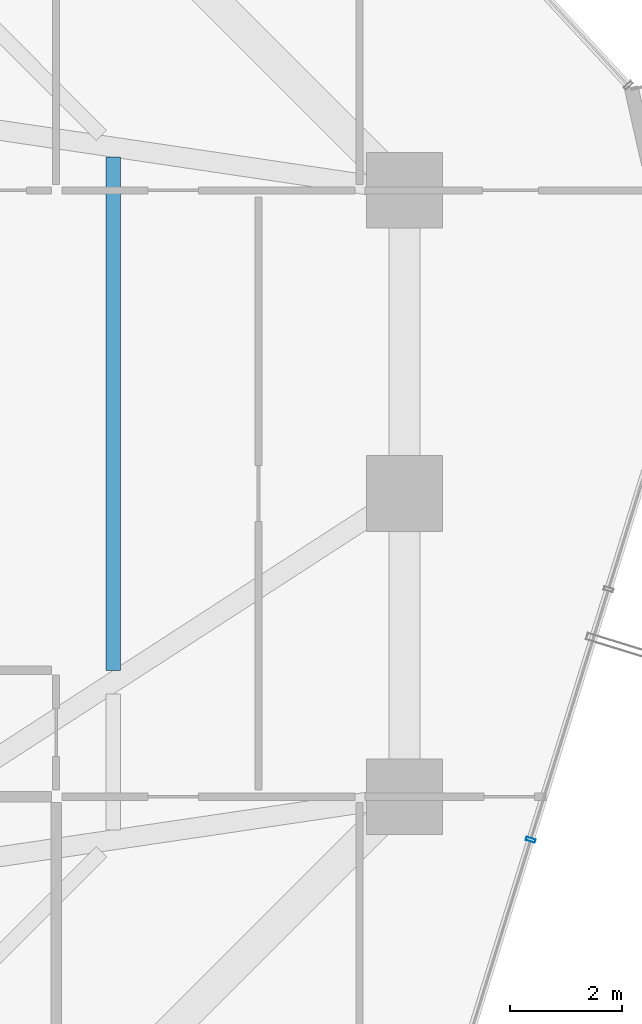
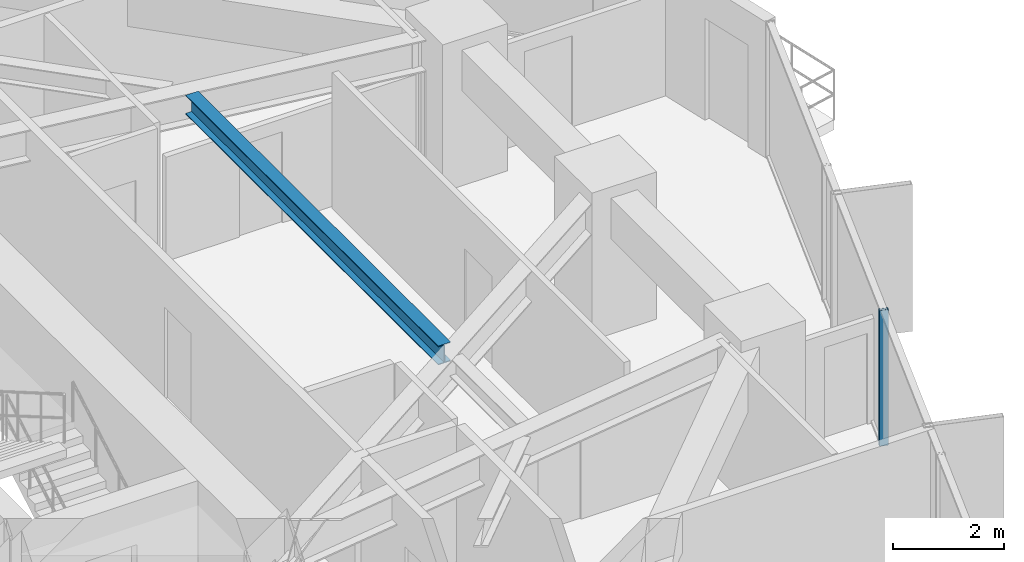
# One storey, part 17 of 39: 1 beam, 1 member, 1 element without a shape of its own.
"""IFC4 building model written with IfcOpenShell, lengths in metres."""

from ifc_helpers import new_model, si_unit, direction, frame, origin, origin_2d, place, context, subcontext, project, spatial, hollow_rectangle, i_section, extrude, source, transform, mapped, material, layer, layer_set, material_profile, profile_set, type_object, element, aggregate, save


model = new_model("IFC4")

# Units and contexts
model_context = context("Model", 3, precision=1e-05, world=origin(), true_north=direction((0.0, 1.0)))
body_context = subcontext(model_context, "Body", "Model", "MODEL_VIEW")
ifc_project = project(units=[si_unit("LENGTHUNIT", "METRE"), si_unit("AREAUNIT", "SQUARE_METRE"), si_unit("VOLUMEUNIT", "CUBIC_METRE"), si_unit("PLANEANGLEUNIT", "RADIAN"), si_unit("MASSUNIT", "GRAM", prefix="KILO")], contexts=[model_context])

# Site, building, storey
site_placement = place(None, origin())
site = spatial("IfcSite", under=ifc_project, at=site_placement, CompositionType="ELEMENT")
building_placement = place(site_placement, origin())
building = spatial("IfcBuilding", under=site, at=building_placement, Name="Veraguas Prism Commons", CompositionType="ELEMENT")
storey_placement = place(building_placement, frame((0.0, 0.0, 67.35009765625)))
storey = spatial("IfcBuildingStorey", under=building, at=storey_placement, Name="L18", CompositionType="ELEMENT", Elevation=67.35009765625)

# Beam
ifc_material_1 = material(Name="Steel ASTM A992 Grade 50", Category="steel")
ifc_material_profile_1 = material_profile(ifc_material_1, i_section(OverallWidth=0.260986328125, OverallDepth=0.419921875, WebThickness=0.01171875, FlangeThickness=0.019287109375, at=origin_2d()), Name="W410X114")
ifc_profile_set_1 = profile_set([ifc_material_profile_1], Name="Steel ASTM A992 Grade 50")
beam_type = type_object("IfcBeamType", Name="Lower Floor Joist W410x114", PredefinedType="JOIST", material=ifc_profile_set_1)
beam_placement = place(storey_placement, frame((36.416015625, 20.849609375, 2.789794921875), z_axis=(0.0, 1.0, 0.0), x_axis=(-1.0, 0.0, 0.0)))
element("IfcBeam", 1, at=beam_placement, inside=storey, type_object=beam_type, Name="Composite Floor Joist L18-JS02", PredefinedType="JOIST", context=body_context, shape_type="SweptSolid", body=[
    extrude(i_section(OverallWidth=0.260986328125, OverallDepth=0.419921875, WebThickness=0.01171875, FlangeThickness=0.019287109375, at=origin_2d()), origin(), (0.0, 0.0, 1.0), 9.140380859375),
])

# Curtain wall, member
ifc_material_2 = material(Name="Anodised aluminium EN AW-6063 T6", Category="aluminium")
ifc_layer = layer(ifc_material_2, 0.169921875, Name="Unitised Flush Curtain Wall Zone 1", Category="aluminium")
ifc_layer_set = layer_set([ifc_layer], Name="Anodised aluminium EN AW-6063 T6")
curtain_wall_type = type_object("IfcCurtainWallType", Name="Unitised Flush Curtain Wall Zone 1", PredefinedType="NOTDEFINED", material=ifc_layer_set)
curtain_wall_placement = place(storey_placement, origin())
curtain_wall = element("IfcCurtainWall", 2, at=curtain_wall_placement, inside=storey, type_object=curtain_wall_type, Name="Tower Facade Curtain Wall L18-F6", PredefinedType="NOTDEFINED")
ifc_material_profile_2 = material_profile(ifc_material_2, hollow_rectangle(XDim=0.06005859375, YDim=0.169921875, WallThickness=0.00390625, at=origin_2d()), Name="AL60X170X4")
ifc_profile_set_2 = profile_set([ifc_material_profile_2], Name="Anodised aluminium EN AW-6063 T6")
member_type = type_object("IfcMemberType", Name="Curtain Wall Mullion Lower AL 60x170x4", PredefinedType="MULLION", material=ifc_profile_set_2)
shared_shape = source(origin(), body_context, "Body", "SweptSolid", [
    extrude(hollow_rectangle(XDim=0.06005859375, YDim=0.169921875, WallThickness=0.00390625, at=origin_2d()), origin(), (0.0, 0.0, 1.0), 3.0),
])
member_placement = place(storey_placement, frame((43.8486328125, 17.8330078125, 0.0), z_axis=(0.0, 0.0, 1.0), x_axis=(0.296709919616, 0.954967655788, 0.0)))
member = element("IfcMember", 3, at=member_placement, type_object=member_type, Name="CW-Z1 Mullion 3", PredefinedType="MULLION", context=body_context, shape_type="MappedRepresentation", body=[
    mapped(shared_shape, transform((0.0, 0.0, 0.0), scale=1.0)),
])
aggregate(curtain_wall, [member])

save(model, "model.ifc")
